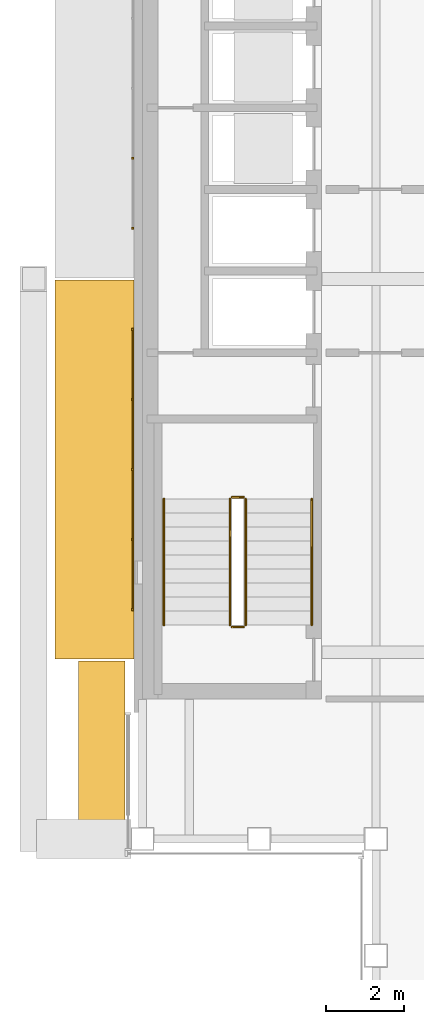
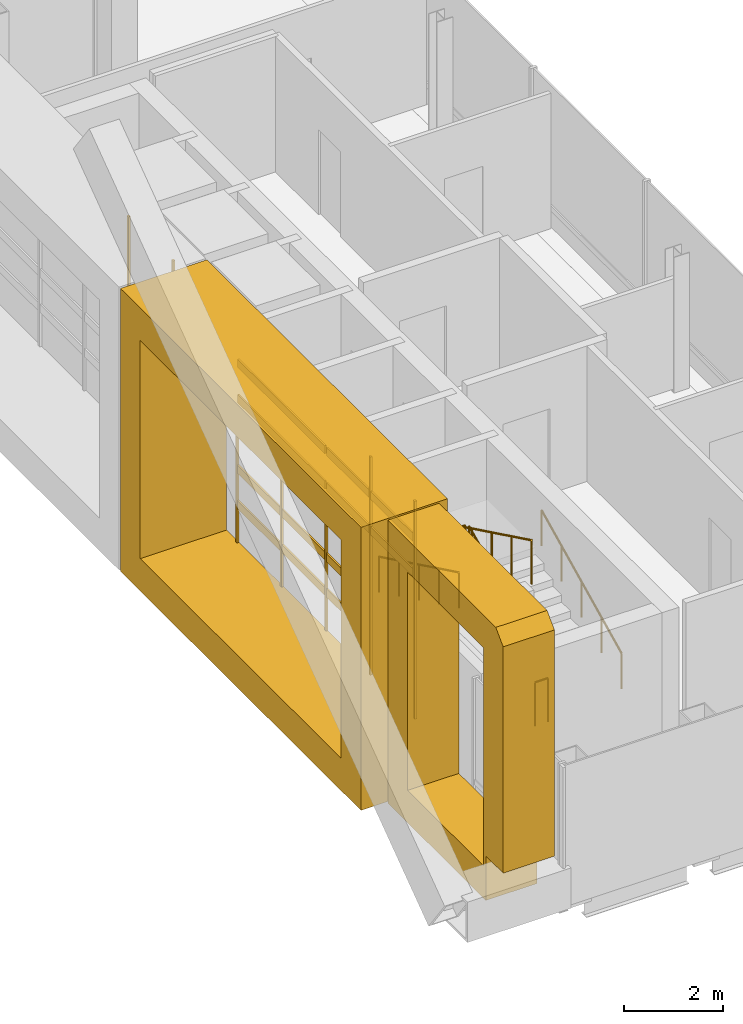
# One storey, part 16 of 21: 17 coverings, 6 railings.
"""IFC4 building model written with IfcOpenShell, lengths in metres."""

from ifc_helpers import new_model, si_unit, direction, frame, origin, origin_2d, place, context, subcontext, project, spatial, polyline, rectangle, circle, outline, extrude, material, type_object, element, save


model = new_model("IFC4")

# Units and contexts
model_context = context("Model", 3, precision=1e-05, world=origin(), true_north=direction((0.0, 1.0)))
body_context = subcontext(model_context, "Body", "Model", "MODEL_VIEW")
ifc_project = project(units=[si_unit("LENGTHUNIT", "METRE"), si_unit("AREAUNIT", "SQUARE_METRE"), si_unit("VOLUMEUNIT", "CUBIC_METRE"), si_unit("PLANEANGLEUNIT", "RADIAN"), si_unit("MASSUNIT", "GRAM", prefix="KILO")], contexts=[model_context])

# Site, building, storey
site_placement = place(None, origin())
site = spatial("IfcSite", under=ifc_project, at=site_placement, CompositionType="ELEMENT")
building_placement = place(site_placement, origin())
building = spatial("IfcBuilding", under=site, at=building_placement, Name="Cobrizo Arcos Hotel Tower", CompositionType="ELEMENT")
storey_placement = place(building_placement, frame((0.0, 0.0, 276.0)))
storey = spatial("IfcBuildingStorey", under=building, at=storey_placement, Name="L73", CompositionType="ELEMENT", Elevation=276.0)

# Coverings
ifc_material_1 = material(Name="Aluminium 6063-T6 anodised bronze", Category="aluminium")
covering_type_1 = type_object("IfcCoveringType", Name="FIN-F 1200", PredefinedType="CLADDING", material=ifc_material_1)
covering_1_placement = place(storey_placement, frame((-20.85009765625, -9.824951171875, 0.0), z_axis=(-1.0, 0.0, 0.0), x_axis=(0.0, -1.0, 0.0)))
element("IfcCovering", 1, at=covering_1_placement, inside=storey, type_object=covering_type_1, Name="Fin frame 446", PredefinedType="CLADDING", context=body_context, shape_type="SweptSolid", body=[
    extrude(outline(polyline([(0.0, 0.0), (3.972900390625, 0.0), (3.972900390625, 1.10205078125), (4.675048828125, 1.10205078125), (4.675048828125, 6.699951171875), (4.375, 7.0), (0.0, 7.0), (0.0, 0.0)]), holes=[polyline([(3.875, 0.800048828125), (0.800048828125, 0.800048828125), (0.800048828125, 6.199951171875), (3.875, 6.199951171875), (3.875, 0.800048828125)])]), origin(), (0.0, 0.0, 1.0), 1.199951171875),
])
covering_type_2 = type_object("IfcCoveringType", Name="FIN-F 2025", PredefinedType="CLADDING", material=ifc_material_1)
covering_2_placement = place(storey_placement, frame((-20.625, -0.02490234375, 0.0), z_axis=(-1.0, 0.0, 0.0), x_axis=(0.0, -1.0, 0.0)))
element("IfcCovering", 2, at=covering_2_placement, inside=storey, type_object=covering_type_2, Name="Fin frame 445", PredefinedType="CLADDING", context=body_context, shape_type="SweptSolid", body=[
    extrude(outline(polyline([(0.0, 7.0), (0.0, 0.0), (9.75, 0.0), (9.75, 7.0), (0.0, 7.0)]), holes=[polyline([(8.949951171875, 0.800048828125), (0.800048828125, 0.800048828125), (0.800048828125, 6.199951171875), (8.949951171875, 6.199951171875), (8.949951171875, 0.800048828125)])]), origin(), (0.0, 0.0, 1.0), 2.02490234375),
])
ifc_material_2 = material(Name="Aluminium 6063-T6 anodised pale", Category="aluminium")
covering_type_3 = type_object("IfcCoveringType", Name="RS-2 rainscreen rib 60x50", PredefinedType="CLADDING", material=ifc_material_2)
for number, where, z_axis, x_axis, name in (
    (3, (-20.64990234375, 3.10009765625, 0.800048828125), (0.0, 0.0, 1.0), (0.0, -1.0, 0.0), "Rainscreen rib 364"),
    (4, (-20.64990234375, 1.300048828125, 0.800048828125), (0.0, 0.0, 1.0), (0.0, -1.0, 0.0), "Rainscreen rib 365"),
    (5, (-20.64990234375, -1.300048828125, 0.800048828125), (0.0, 0.0, 1.0), (0.0, -1.0, 0.0), "Rainscreen rib 366"),
    (6, (-20.64990234375, -3.10009765625, 0.800048828125), (0.0, 0.0, 1.0), (0.0, -1.0, 0.0), "Rainscreen rib 367"),
    (7, (-20.64990234375, -4.89990234375, 0.800048828125), (0.0, 0.0, 1.0), (0.0, -1.0, 0.0), "Rainscreen rib 368"),
    (8, (-20.64990234375, -6.699951171875, 0.800048828125), (0.0, 0.0, 1.0), (0.0, -1.0, 0.0), "Rainscreen rib 369"),
    (9, (-20.64990234375, -8.5, 0.800048828125), (0.0, 0.0, 1.0), (0.0, -1.0, 0.0), "Rainscreen rib 370"),
):
    element("IfcCovering", number, at=place(storey_placement, frame(where, z_axis=z_axis, x_axis=x_axis)), inside=storey, type_object=covering_type_3, Name=name, PredefinedType="CLADDING", context=body_context, shape_type="SweptSolid", body=[
        extrude(rectangle(XDim=0.06005859375, YDim=0.050048828125, at=origin_2d()), origin(), (0.0, 0.0, 1.0), 5.39990234375),
    ])
covering_type_4 = type_object("IfcCoveringType", Name="RS-3 rainscreen louvre slat 200x40", PredefinedType="CLADDING", material=ifc_material_2)
for number, where, z_axis, x_axis, name in (
    (10, (-20.64501953125, -3.10009765625, 1.64990234375), (0.0, 0.0, 1.0), (0.0, -1.0, 0.0), "Rainscreen slat 253"),
    (11, (-20.64501953125, -3.10009765625, 2.52490234375), (0.0, 0.0, 1.0), (0.0, -1.0, 0.0), "Rainscreen slat 254"),
    (12, (-20.64501953125, -6.699951171875, 1.64990234375), (0.0, 0.0, 1.0), (0.0, -1.0, 0.0), "Rainscreen slat 255"),
    (13, (-20.64501953125, -6.699951171875, 2.52490234375), (0.0, 0.0, 1.0), (0.0, -1.0, 0.0), "Rainscreen slat 256"),
    (14, (-20.64501953125, -3.10009765625, 4.27490234375), (0.0, 0.0, 1.0), (0.0, -1.0, 0.0), "Rainscreen slat 257"),
    (15, (-20.64501953125, -3.10009765625, 5.14990234375), (0.0, 0.0, 1.0), (0.0, -1.0, 0.0), "Rainscreen slat 258"),
    (16, (-20.64501953125, -6.699951171875, 4.27490234375), (0.0, 0.0, 1.0), (0.0, -1.0, 0.0), "Rainscreen slat 259"),
    (17, (-20.64501953125, -6.699951171875, 5.14990234375), (0.0, 0.0, 1.0), (0.0, -1.0, 0.0), "Rainscreen slat 260"),
):
    element("IfcCovering", number, at=place(storey_placement, frame(where, z_axis=z_axis, x_axis=x_axis)), inside=storey, type_object=covering_type_4, Name=name, PredefinedType="CLADDING", context=body_context, shape_type="SweptSolid", body=[
        extrude(rectangle(XDim=3.5400390625, YDim=0.0400390625, at=origin_2d()), origin(), (0.0, 0.0, 1.0), 0.199951171875),
    ])

# Railings
ifc_material_3 = material(Name="Stainless steel railing", Category="steel")
railing_type_1 = type_object("IfcRailingType", Name="Stair guard 1100", PredefinedType="GUARDRAIL", material=ifc_material_3)
railing_1_placement = place(storey_placement, frame((-17.75, -8.89990234375, 0.175048828125)))
element("IfcRailing", 18, at=railing_1_placement, inside=storey, type_object=railing_type_1, Name="L73 ST-W stair guard 1", PredefinedType="GUARDRAIL", context=body_context, shape_type="SweptSolid", body=[
    extrude(circle(Radius=0.02392578125, at=origin_2d()), frame((0.0, 0.0, 1.076171875), z_axis=(0.0, 0.899372665325, 0.437182809435), x_axis=(-1.0, 0.0, 0.0)), (0.0, 0.0, 1.0), 3.6025390625),
    extrude(circle(Radius=0.02099609375, at=origin_2d()), origin(), (0.0, 0.0, 1.0), 1.052001953125),
    extrude(circle(Radius=0.02099609375, at=origin_2d()), frame((0.0, 0.81005859375, 0.393798828125)), (0.0, 0.0, 1.0), 1.052001953125),
    extrude(circle(Radius=0.02099609375, at=origin_2d()), frame((0.0, 1.6201171875, 0.78759765625)), (0.0, 0.0, 1.0), 1.052001953125),
    extrude(circle(Radius=0.02099609375, at=origin_2d()), frame((0.0, 2.429931640625, 1.18115234375)), (0.0, 0.0, 1.0), 1.052001953125),
    extrude(circle(Radius=0.02099609375, at=origin_2d()), frame((0.0, 3.239990234375, 1.574951171875)), (0.0, 0.0, 1.0), 1.052001953125),
])
railing_2_placement = place(storey_placement, frame((-17.800048828125, -5.610107421875, 1.75)))
element("IfcRailing", 19, at=railing_2_placement, inside=storey, type_object=railing_type_1, Name="L73 ST-W stair guard 2", PredefinedType="GUARDRAIL", context=body_context, shape_type="SweptSolid", body=[
    extrude(circle(Radius=0.02392578125, at=origin_2d()), frame((0.0, 0.0, 1.076171875), z_axis=(-1.0, 0.0, 0.0), x_axis=(0.0, -1.0, 0.0)), (0.0, 0.0, 1.0), 0.300048828125),
    extrude(circle(Radius=0.02099609375, at=origin_2d()), origin(), (0.0, 0.0, 1.0), 1.052001953125),
    extrude(circle(Radius=0.02099609375, at=origin_2d()), frame((-0.300048828125, 0.0, 0.0)), (0.0, 0.0, 1.0), 1.052001953125),
])
railing_3_placement = place(storey_placement, frame((-18.14990234375, -5.659912109375, 1.925048828125)))
element("IfcRailing", 20, at=railing_3_placement, inside=storey, type_object=railing_type_1, Name="L73 ST-W stair guard 3", PredefinedType="GUARDRAIL", context=body_context, shape_type="SweptSolid", body=[
    extrude(circle(Radius=0.02392578125, at=origin_2d()), frame((0.0, 0.0, 1.076171875), z_axis=(0.0, -0.899372665325, 0.437182809435), x_axis=(1.0, 0.0, 0.0)), (0.0, 0.0, 1.0), 3.6025390625),
    extrude(circle(Radius=0.02099609375, at=origin_2d()), origin(), (0.0, 0.0, 1.0), 1.052001953125),
    extrude(circle(Radius=0.02099609375, at=origin_2d()), frame((0.0, -0.81005859375, 0.393798828125)), (0.0, 0.0, 1.0), 1.052001953125),
    extrude(circle(Radius=0.02099609375, at=origin_2d()), frame((0.0, -1.6201171875, 0.78759765625)), (0.0, 0.0, 1.0), 1.052001953125),
    extrude(circle(Radius=0.02099609375, at=origin_2d()), frame((0.0, -2.429931640625, 1.18115234375)), (0.0, 0.0, 1.0), 1.052001953125),
    extrude(circle(Radius=0.02099609375, at=origin_2d()), frame((0.0, -3.239990234375, 1.574951171875)), (0.0, 0.0, 1.0), 1.052001953125),
])
railing_4_placement = place(storey_placement, frame((-17.800048828125, -8.949951171875, 0.0)))
element("IfcRailing", 21, at=railing_4_placement, inside=storey, type_object=railing_type_1, Name="L73 ST-W stair guard 4", PredefinedType="GUARDRAIL", context=body_context, shape_type="SweptSolid", body=[
    extrude(circle(Radius=0.02392578125, at=origin_2d()), frame((0.0, 0.0, 1.076171875), z_axis=(-1.0, 0.0, 0.0), x_axis=(0.0, -1.0, 0.0)), (0.0, 0.0, 1.0), 0.300048828125),
    extrude(circle(Radius=0.02099609375, at=origin_2d()), origin(), (0.0, 0.0, 1.0), 1.052001953125),
    extrude(circle(Radius=0.02099609375, at=origin_2d()), frame((-0.300048828125, 0.0, 0.0)), (0.0, 0.0, 1.0), 1.052001953125),
])
railing_type_2 = type_object("IfcRailingType", Name="Stair handrail", PredefinedType="HANDRAIL", material=ifc_material_3)
railing_5_placement = place(storey_placement, frame((-16.050048828125, -8.89990234375, 0.175048828125)))
element("IfcRailing", 22, at=railing_5_placement, inside=storey, type_object=railing_type_2, Name="L73 ST-W stair handrail 1", PredefinedType="HANDRAIL", context=body_context, shape_type="SweptSolid", body=[
    extrude(circle(Radius=0.02392578125, at=origin_2d()), frame((0.0, 0.0, 0.8759765625), z_axis=(0.0, 0.899372665325, 0.437182809435), x_axis=(-1.0, 0.0, 0.0)), (0.0, 0.0, 1.0), 3.6025390625),
    extrude(circle(Radius=0.02099609375, at=origin_2d()), origin(), (0.0, 0.0, 1.0), 0.851806640625),
    extrude(circle(Radius=0.02099609375, at=origin_2d()), frame((0.0, 0.81005859375, 0.393798828125)), (0.0, 0.0, 1.0), 0.851806640625),
    extrude(circle(Radius=0.02099609375, at=origin_2d()), frame((0.0, 1.6201171875, 0.78759765625)), (0.0, 0.0, 1.0), 0.851806640625),
    extrude(circle(Radius=0.02099609375, at=origin_2d()), frame((0.0, 2.429931640625, 1.18115234375)), (0.0, 0.0, 1.0), 0.851806640625),
    extrude(circle(Radius=0.02099609375, at=origin_2d()), frame((0.0, 3.239990234375, 1.574951171875)), (0.0, 0.0, 1.0), 0.851806640625),
])
railing_6_placement = place(storey_placement, frame((-19.85009765625, -5.659912109375, 1.925048828125)))
element("IfcRailing", 23, at=railing_6_placement, inside=storey, type_object=railing_type_2, Name="L73 ST-W stair handrail 2", PredefinedType="HANDRAIL", context=body_context, shape_type="SweptSolid", body=[
    extrude(circle(Radius=0.02392578125, at=origin_2d()), frame((0.0, 0.0, 0.8759765625), z_axis=(0.0, -0.899372665325, 0.437182809435), x_axis=(1.0, 0.0, 0.0)), (0.0, 0.0, 1.0), 3.6025390625),
    extrude(circle(Radius=0.02099609375, at=origin_2d()), origin(), (0.0, 0.0, 1.0), 0.851806640625),
    extrude(circle(Radius=0.02099609375, at=origin_2d()), frame((0.0, -0.81005859375, 0.393798828125)), (0.0, 0.0, 1.0), 0.851806640625),
    extrude(circle(Radius=0.02099609375, at=origin_2d()), frame((0.0, -1.6201171875, 0.78759765625)), (0.0, 0.0, 1.0), 0.851806640625),
    extrude(circle(Radius=0.02099609375, at=origin_2d()), frame((0.0, -2.429931640625, 1.18115234375)), (0.0, 0.0, 1.0), 0.851806640625),
    extrude(circle(Radius=0.02099609375, at=origin_2d()), frame((0.0, -3.239990234375, 1.574951171875)), (0.0, 0.0, 1.0), 0.851806640625),
])

save(model, "model.ifc")
